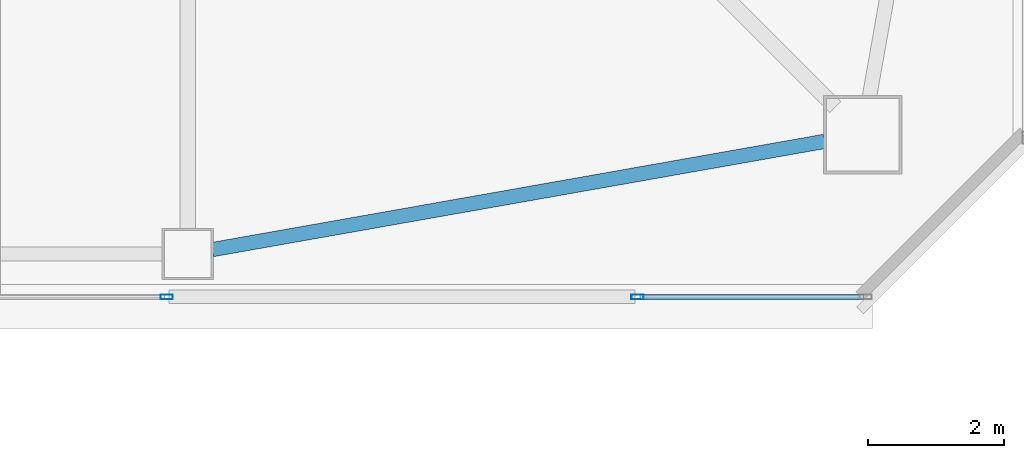
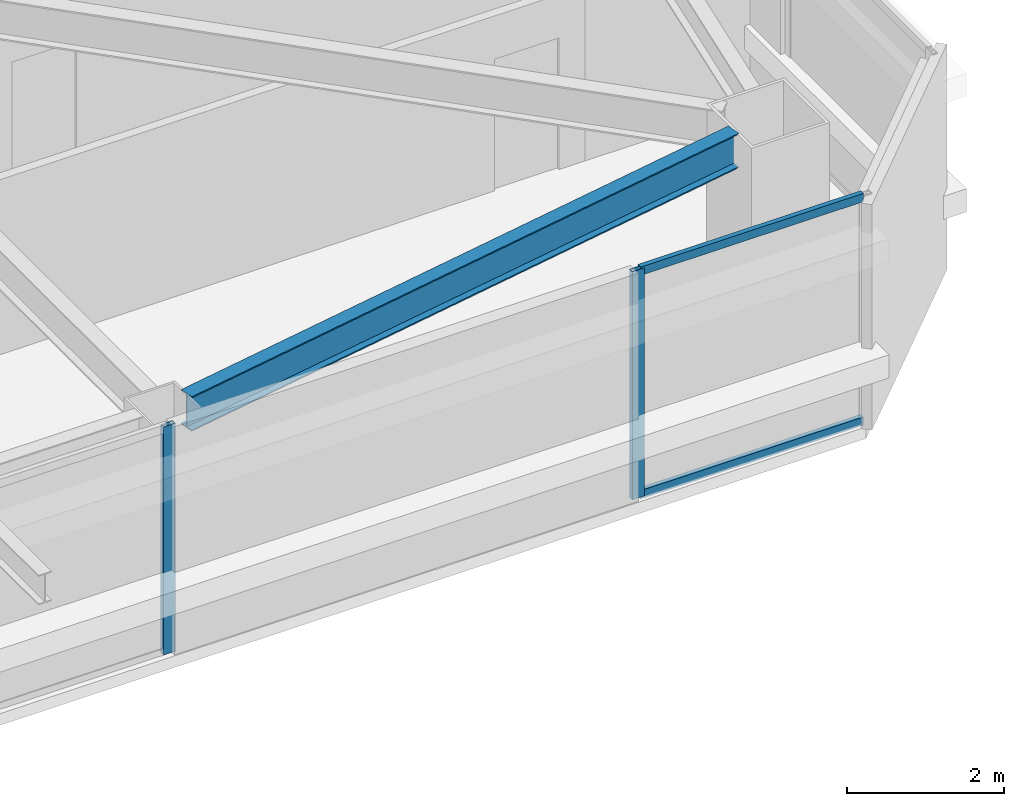
# One storey, part 5 of 41: 4 members, 1 beam, 2 elements without a shape of their own.
"""IFC4 building model written with IfcOpenShell, lengths in metres."""

from ifc_helpers import new_model, si_unit, direction, frame, origin, origin_2d, place, context, subcontext, project, spatial, hollow_rectangle, i_section, extrude, material, material_profile, profile_set, type_object, element, aggregate, save


model = new_model("IFC4")

# Units and contexts
model_context = context("Model", 3, precision=1e-05, world=origin(), true_north=direction((0.0, 1.0)))
body_context = subcontext(model_context, "Body", "Model", "MODEL_VIEW")
ifc_project = project(units=[si_unit("LENGTHUNIT", "METRE"), si_unit("AREAUNIT", "SQUARE_METRE"), si_unit("VOLUMEUNIT", "CUBIC_METRE"), si_unit("PLANEANGLEUNIT", "RADIAN"), si_unit("MASSUNIT", "GRAM", prefix="KILO")], contexts=[model_context])

# Site, building, storey
site_placement = place(None, origin())
site = spatial("IfcSite", under=ifc_project, at=site_placement, CompositionType="ELEMENT")
building_placement = place(site_placement, origin())
building = spatial("IfcBuilding", under=site, at=building_placement, Name="Tashvorn Skyway Center", CompositionType="ELEMENT")
storey_placement = place(building_placement, frame((0.0, 0.0, 174.75)))
storey = spatial("IfcBuildingStorey", under=building, at=storey_placement, Name="L47", CompositionType="ELEMENT", Elevation=174.75)

# Beam
ifc_material_1 = material(Name="Steel ASTM A992 Grade 50", Category="steel")
ifc_material_profile_1 = material_profile(ifc_material_1, i_section(OverallWidth=0.2109375, OverallDepth=0.5390625, WebThickness=0.01171875, FlangeThickness=0.018798828125, at=origin_2d()), Name="W21X73")
ifc_profile_set_1 = profile_set([ifc_material_profile_1], Name="Steel ASTM A992 Grade 50")
beam_type = type_object("IfcBeamType", Name="BM-SPANDREL-W21X73", PredefinedType="SPANDREL", material=ifc_profile_set_1)
beam_placement = place(storey_placement, frame((47.764404296875, 15.014404296875, 3.1005859375), z_axis=(0.984732545667, 0.174074160933, 0.0), x_axis=(-0.174074160933, 0.984732545667, 0.0)))
element("IfcBeam", 1, at=beam_placement, inside=storey, type_object=beam_type, Name="Tower 1 L47 Spandrel Beam 03", PredefinedType="SPANDREL", context=body_context, shape_type="SweptSolid", body=[
    extrude(i_section(OverallWidth=0.2109375, OverallDepth=0.5390625, WebThickness=0.01171875, FlangeThickness=0.018798828125, at=origin_2d()), origin(), (0.0, 0.0, 1.0), 9.113525390625),
])

# Curtain wall, member
ifc_material_2 = material(Name="Thermally broken bronze-anodized aluminium 6063-T6", Category="aluminium")
curtain_wall_type = type_object("IfcCurtainWallType", Name="CW-CW-Z4", PredefinedType="NOTDEFINED", material=ifc_material_2)
curtain_wall_1_placement = place(storey_placement, origin())
curtain_wall_1 = element("IfcCurtainWall", 2, at=curtain_wall_1_placement, inside=storey, type_object=curtain_wall_type, Name="Tower 1 L47 South Unitised Curtain Wall Glazing Group 1", PredefinedType="NOTDEFINED")
ifc_material_profile_2 = material_profile(ifc_material_2, hollow_rectangle(XDim=0.070068359375, YDim=0.179931640625, WallThickness=0.00390625, at=origin_2d()), Name="ALU-MULL-70x180")
ifc_profile_set_2 = profile_set([ifc_material_profile_2], Name="Thermally broken bronze-anodized aluminium 6063-T6")
member_type_1 = type_object("IfcMemberType", Name="CWM-CW-Z4", PredefinedType="MULLION", material=ifc_profile_set_2)
member_1_placement = place(storey_placement, frame((53.997314453125, 14.320068359375, 0.0), z_axis=(0.0, 0.0, 1.0), x_axis=(0.0, -1.0, 0.0)))
member_1 = element("IfcMember", 3, at=member_1_placement, type_object=member_type_1, Name="CW-Z4 mullion 2", PredefinedType="MULLION", context=body_context, shape_type="SweptSolid", body=[
    extrude(hollow_rectangle(XDim=0.070068359375, YDim=0.179931640625, WallThickness=0.00390625, at=origin_2d()), origin(), (0.0, 0.0, 1.0), 3.550048828125),
])

curtain_wall_2_placement = place(storey_placement, origin())
curtain_wall_2 = element("IfcCurtainWall", 4, at=curtain_wall_2_placement, inside=storey, type_object=curtain_wall_type, Name="Tower 1 L47 South Unitised Curtain Wall Glazing Group 2", PredefinedType="NOTDEFINED")
member_2_placement = place(storey_placement, frame((47.091796875, 14.320068359375, 0.0), z_axis=(0.0, 0.0, 1.0), x_axis=(0.0, -1.0, 0.0)))
member_2 = element("IfcMember", 5, at=member_2_placement, type_object=member_type_1, Name="CW-Z4 mullion 1", PredefinedType="MULLION", context=body_context, shape_type="SweptSolid", body=[
    extrude(hollow_rectangle(XDim=0.070068359375, YDim=0.179931640625, WallThickness=0.00390625, at=origin_2d()), origin(), (0.0, 0.0, 1.0), 3.550048828125),
])
aggregate(curtain_wall_2, [member_2])

# Member
ifc_material_profile_3 = material_profile(ifc_material_2, hollow_rectangle(XDim=0.070068359375, YDim=0.1298828125, WallThickness=0.00390625, at=origin_2d()), Name="ALU-TRAN-70x130")
ifc_profile_set_3 = profile_set([ifc_material_profile_3], Name="Thermally broken bronze-anodized aluminium 6063-T6")
member_type_2 = type_object("IfcMemberType", Name="CWT-CW-Z4", PredefinedType="USERDEFINED", material=ifc_profile_set_3)
member_3_placement = place(storey_placement, frame((57.31005859375, 14.320068359375, 0.034912109375), z_axis=(-1.0, 0.0, 0.0), x_axis=(0.0, -1.0, 0.0)))
member_3 = element("IfcMember", 6, at=member_3_placement, type_object=member_type_2, Name="CW-Z4 transom 1.1", ObjectType="TRANSOM", PredefinedType="USERDEFINED", context=body_context, shape_type="SweptSolid", body=[
    extrude(hollow_rectangle(XDim=0.070068359375, YDim=0.1298828125, WallThickness=0.00390625, at=origin_2d()), origin(), (0.0, 0.0, 1.0), 3.27783203125),
])

member_4_placement = place(storey_placement, frame((57.31005859375, 14.320068359375, 3.514892578125), z_axis=(-1.0, 0.0, 0.0), x_axis=(0.0, -1.0, 0.0)))
member_4 = element("IfcMember", 7, at=member_4_placement, type_object=member_type_2, Name="CW-Z4 transom 1.2", ObjectType="TRANSOM", PredefinedType="USERDEFINED", context=body_context, shape_type="SweptSolid", body=[
    extrude(hollow_rectangle(XDim=0.070068359375, YDim=0.1298828125, WallThickness=0.00390625, at=origin_2d()), origin(), (0.0, 0.0, 1.0), 3.27783203125),
])

aggregate(curtain_wall_1, [member_1, member_3, member_4])

save(model, "model.ifc")
